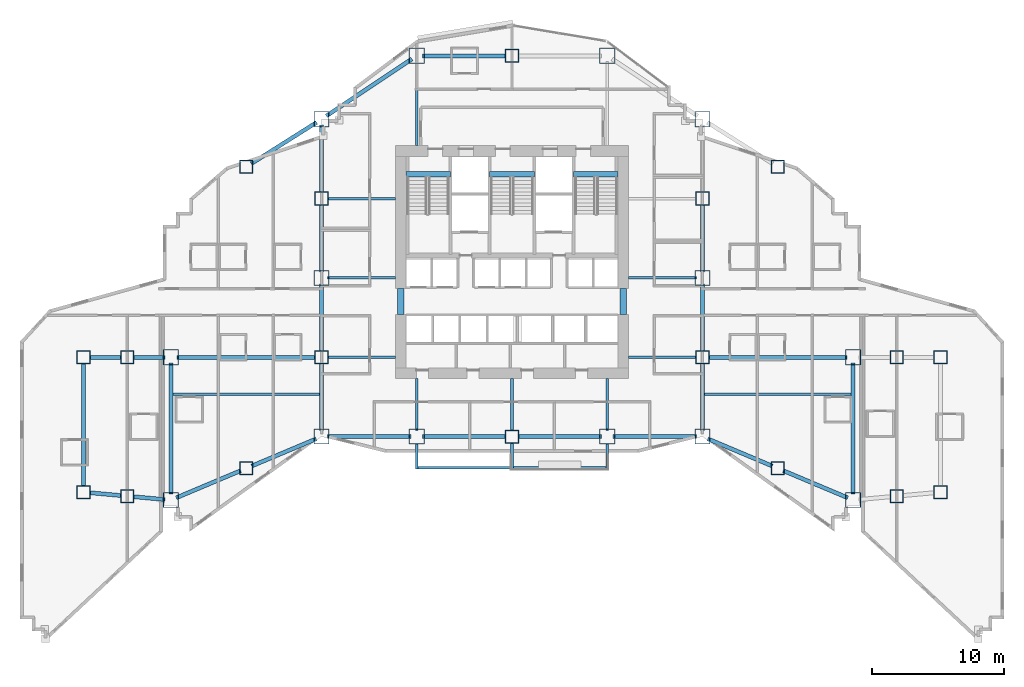
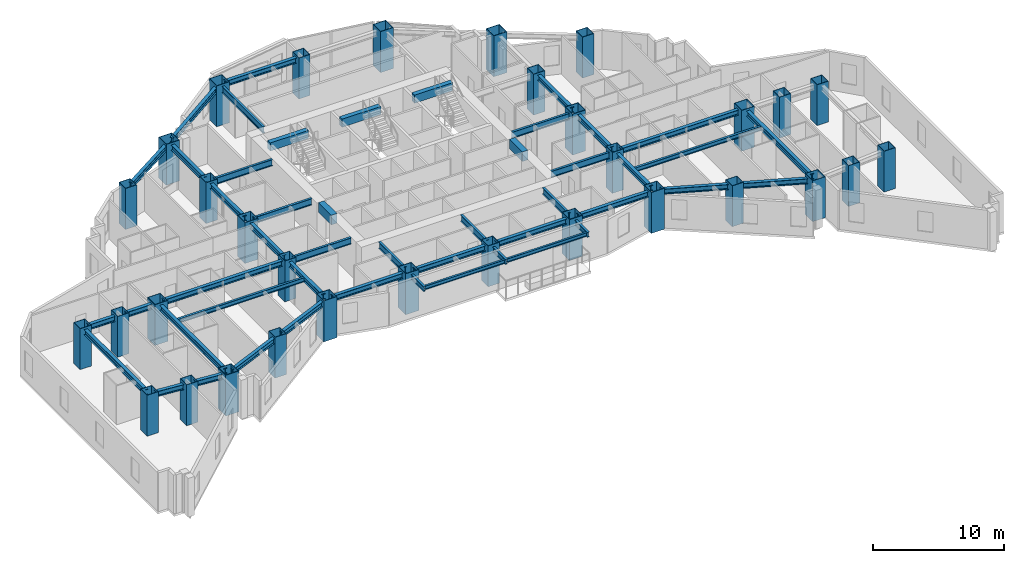
# One storey, part 1 of 17: 48 beams, 32 columns.
"""IFC4 building model written with IfcOpenShell, lengths in metres."""

from ifc_helpers import new_model, si_unit, direction, frame, origin, origin_2d, place, context, subcontext, project, spatial, rectangle, hollow_rectangle, i_section, extrude, material, material_profile, profile_set, type_object, element, save


model = new_model("IFC4")

# Units and contexts
model_context = context("Model", 3, precision=1e-05, world=origin(), true_north=direction((0.0, 1.0)))
body_context = subcontext(model_context, "Body", "Model", "MODEL_VIEW")
ifc_project = project(units=[si_unit("LENGTHUNIT", "METRE"), si_unit("AREAUNIT", "SQUARE_METRE"), si_unit("VOLUMEUNIT", "CUBIC_METRE"), si_unit("PLANEANGLEUNIT", "RADIAN"), si_unit("MASSUNIT", "GRAM", prefix="KILO")], contexts=[model_context])

# Site, building, storey
site_placement = place(None, origin())
site = spatial("IfcSite", under=ifc_project, at=site_placement, CompositionType="ELEMENT")
building_placement = place(site_placement, origin())
building = spatial("IfcBuilding", under=site, at=building_placement, Name="Haolan Belvedere Tower", CompositionType="ELEMENT")
storey_placement = place(building_placement, frame((0.0, 0.0, 81.800048828125)))
storey = spatial("IfcBuildingStorey", under=building, at=storey_placement, Name="L20", CompositionType="ELEMENT", Elevation=81.800048828125)

# Columns
ifc_material_1 = material(Name="Steel Q420GJC", Category="steel")
ifc_material_profile_1 = material_profile(ifc_material_1, hollow_rectangle(XDim=1.0, YDim=1.0, WallThickness=0.0380859375, at=origin_2d()), Name="Steel Q420GJC")
ifc_profile_set_1 = profile_set([ifc_material_profile_1], Name="Steel Q420GJC")
column_type_1 = type_object("IfcColumnType", Name="COL-BOX1000x1000x38", PredefinedType="COLUMN", material=ifc_profile_set_1)
for number, where, z_axis, x_axis, name in (
    (1, (6.0, 17.39990234375, 0.0), (0.0, 0.0, 1.0), (1.0, 0.0, 0.0), "L20 column MC-T1-SW (BOX1000x1000x38)"),
    (2, (6.0, 27.60009765625, 0.0), (0.0, 0.0, 1.0), (1.0, 0.0, 0.0), "L20 column MC-T1-NW (BOX1000x1000x38)"),
    (3, (70.800048828125, 17.39990234375, 0.0), (0.0, 0.0, 1.0), (1.0, 0.0, 0.0), "L20 column MC-T5-SE (BOX1000x1000x38)"),
    (4, (70.800048828125, 27.60009765625, 0.0), (0.0, 0.0, 1.0), (1.0, 0.0, 0.0), "L20 column MC-T5-NE (BOX1000x1000x38)"),
    (5, (24.0, 27.60009765625, 0.0), (0.0, 0.0, 1.0), (1.0, 0.0, 0.0), "L20 column TC-T3-W1 (BOX1000x1000x38)"),
    (6, (24.0, 39.60009765625, 0.0), (0.0, 0.0, 1.0), (1.0, 0.0, 0.0), "L20 column TC-T3-W2 (BOX1000x1000x38)"),
    (7, (52.800048828125, 27.60009765625, 0.0), (0.0, 0.0, 1.0), (1.0, 0.0, 0.0), "L20 column TC-T3-E1 (BOX1000x1000x38)"),
    (8, (52.800048828125, 39.60009765625, 0.0), (0.0, 0.0, 1.0), (1.0, 0.0, 0.0), "L20 column TC-T3-E2 (BOX1000x1000x38)"),
    (9, (38.39990234375, 21.60009765625, 0.0), (0.0, 0.0, 1.0), (1.0, 0.0, 0.0), "L20 column TC-T3-SM (BOX1000x1000x38)"),
    (10, (38.39990234375, 50.39990234375, 0.0), (0.0, 0.0, 1.0), (1.0, 0.0, 0.0), "L20 column TC-T3-NM (BOX1000x1000x38)"),
    (11, (18.300048828125, 19.199951171875, 0.0), (0.0, 0.0, 1.0), (1.0, 0.0, 0.0), "L20 column TC-T2-S1 (BOX1000x1000x38)"),
    (12, (18.300048828125, 42.0, 0.0), (0.0, 0.0, 1.0), (1.0, 0.0, 0.0), "L20 column TC-T2-N1 (BOX1000x1000x38)"),
    (13, (58.5, 19.199951171875, 0.0), (0.0, 0.0, 1.0), (1.0, 0.0, 0.0), "L20 column TC-T4-S1 (BOX1000x1000x38)"),
    (14, (58.5, 42.0, 0.0), (0.0, 0.0, 1.0), (1.0, 0.0, 0.0), "L20 column TC-T4-N1 (BOX1000x1000x38)"),
    (15, (9.300048828125, 17.10009765625, 0.0), (0.0, 0.0, 1.0), (1.0, 0.0, 0.0), "L20 column TC-T1-M1 (BOX1000x1000x38)"),
    (16, (9.300048828125, 27.60009765625, 0.0), (0.0, 0.0, 1.0), (1.0, 0.0, 0.0), "L20 column TC-T1-M2 (BOX1000x1000x38)"),
    (17, (67.5, 17.10009765625, 0.0), (0.0, 0.0, 1.0), (1.0, 0.0, 0.0), "L20 column TC-T5-M1 (BOX1000x1000x38)"),
    (18, (67.5, 27.60009765625, 0.0), (0.0, 0.0, 1.0), (1.0, 0.0, 0.0), "L20 column TC-T5-M2 (BOX1000x1000x38)"),
):
    element("IfcColumn", number, at=place(storey_placement, frame(where, z_axis=z_axis, x_axis=x_axis)), inside=storey, type_object=column_type_1, Name=name, PredefinedType="COLUMN", context=body_context, shape_type="SweptSolid", body=[
        extrude(hollow_rectangle(XDim=1.0, YDim=1.0, WallThickness=0.0380859375, at=origin_2d()), origin(), (0.0, 0.0, 1.0), 3.800048828125),
    ])
ifc_material_2 = material(Name="Steel Q355B", Category="steel")
ifc_material_profile_2 = material_profile(ifc_material_2, hollow_rectangle(XDim=1.14990234375, YDim=1.14990234375, WallThickness=0.0419921875, at=origin_2d()), Name="Steel Q355B")
ifc_profile_set_2 = profile_set([ifc_material_profile_2], Name="Steel Q355B")
column_type_2 = type_object("IfcColumnType", Name="COL-BOX1150x1150x42", PredefinedType="COLUMN", material=ifc_profile_set_2)
for number, where, z_axis, x_axis, name in (
    (19, (24.0, 21.60009765625, 0.0), (0.0, 0.0, 1.0), (1.0, 0.0, 0.0), "L20 column MC-T3-SW (BOX1150x1150x42)"),
    (20, (24.0, 33.60009765625, 0.0), (0.0, 0.0, 1.0), (1.0, 0.0, 0.0), "L20 column MC-T3-MW (BOX1150x1150x42)"),
    (21, (24.0, 45.60009765625, 0.0), (0.0, 0.0, 1.0), (1.0, 0.0, 0.0), "L20 column MC-T3-NW (BOX1150x1150x42)"),
    (22, (52.800048828125, 21.60009765625, 0.0), (0.0, 0.0, 1.0), (1.0, 0.0, 0.0), "L20 column MC-T3-SE (BOX1150x1150x42)"),
    (23, (52.800048828125, 33.60009765625, 0.0), (0.0, 0.0, 1.0), (1.0, 0.0, 0.0), "L20 column MC-T3-ME (BOX1150x1150x42)"),
    (24, (52.800048828125, 45.60009765625, 0.0), (0.0, 0.0, 1.0), (1.0, 0.0, 0.0), "L20 column MC-T3-NE (BOX1150x1150x42)"),
    (25, (31.199951171875, 21.60009765625, 0.0), (0.0, 0.0, 1.0), (1.0, 0.0, 0.0), "L20 column MC-T3-S1 (BOX1150x1150x42)"),
    (26, (45.60009765625, 21.60009765625, 0.0), (0.0, 0.0, 1.0), (1.0, 0.0, 0.0), "L20 column MC-T3-S2 (BOX1150x1150x42)"),
    (27, (31.199951171875, 50.39990234375, 0.0), (0.0, 0.0, 1.0), (1.0, 0.0, 0.0), "L20 column MC-T3-N1 (BOX1150x1150x42)"),
    (28, (45.60009765625, 50.39990234375, 0.0), (0.0, 0.0, 1.0), (1.0, 0.0, 0.0), "L20 column MC-T3-N2 (BOX1150x1150x42)"),
    (29, (12.60009765625, 16.800048828125, 0.0), (0.0, 0.0, 1.0), (1.0, 0.0, 0.0), "L20 column MC-T2-SW (BOX1150x1150x42)"),
    (30, (12.60009765625, 27.60009765625, 0.0), (0.0, 0.0, 1.0), (1.0, 0.0, 0.0), "L20 column MC-T2-MW (BOX1150x1150x42)"),
    (31, (64.199951171875, 16.800048828125, 0.0), (0.0, 0.0, 1.0), (1.0, 0.0, 0.0), "L20 column MC-T4-SE (BOX1150x1150x42)"),
    (32, (64.199951171875, 27.60009765625, 0.0), (0.0, 0.0, 1.0), (1.0, 0.0, 0.0), "L20 column MC-T4-ME (BOX1150x1150x42)"),
):
    element("IfcColumn", number, at=place(storey_placement, frame(where, z_axis=z_axis, x_axis=x_axis)), inside=storey, type_object=column_type_2, Name=name, PredefinedType="COLUMN", context=body_context, shape_type="SweptSolid", body=[
        extrude(hollow_rectangle(XDim=1.14990234375, YDim=1.14990234375, WallThickness=0.0419921875, at=origin_2d()), origin(), (0.0, 0.0, 1.0), 3.800048828125),
    ])

# Beams
ifc_material_profile_3 = material_profile(ifc_material_2, i_section(OverallWidth=0.300048828125, OverallDepth=0.488037109375, WebThickness=0.010986328125, FlangeThickness=0.01806640625, FilletRadius=0.02587890625, at=origin_2d()), Name="Steel Q355B")
ifc_profile_set_3 = profile_set([ifc_material_profile_3], Name="Steel Q355B")
beam_type_1 = type_object("IfcBeamType", Name="BM-HM488x300x11x18", PredefinedType="SPANDREL", material=ifc_profile_set_3)
for number, where, z_axis, x_axis, name in (
    (33, (24.0, 22.050048828125, 3.35595703125), (0.0, 1.0, 0.0), (-1.0, 0.0, 0.0), "L20 spandrel girder MC-T3-SW-TC-T3-W1"),
    (34, (24.0, 28.050048828125, 3.35595703125), (0.0, 1.0, 0.0), (-1.0, 0.0, 0.0), "L20 spandrel girder TC-T3-W1-MC-T3-MW"),
    (35, (24.0, 34.050048828125, 3.35595703125), (0.0, 1.0, 0.0), (-1.0, 0.0, 0.0), "L20 spandrel girder MC-T3-MW-TC-T3-W2"),
    (36, (24.0, 40.050048828125, 3.35595703125), (0.0, 1.0, 0.0), (-1.0, 0.0, 0.0), "L20 spandrel girder TC-T3-W2-MC-T3-NW"),
    (37, (52.800048828125, 22.050048828125, 3.35595703125), (0.0, 1.0, 0.0), (-1.0, 0.0, 0.0), "L20 spandrel girder MC-T3-SE-TC-T3-E1"),
    (38, (52.800048828125, 28.050048828125, 3.35595703125), (0.0, 1.0, 0.0), (-1.0, 0.0, 0.0), "L20 spandrel girder TC-T3-E1-MC-T3-ME"),
    (39, (52.800048828125, 34.050048828125, 3.35595703125), (0.0, 1.0, 0.0), (-1.0, 0.0, 0.0), "L20 spandrel girder MC-T3-ME-TC-T3-E2"),
):
    element("IfcBeam", number, at=place(storey_placement, frame(where, z_axis=z_axis, x_axis=x_axis)), inside=storey, type_object=beam_type_1, Name=name, PredefinedType="SPANDREL", context=body_context, shape_type="SweptSolid", body=[
        extrude(i_section(OverallWidth=0.300048828125, OverallDepth=0.488037109375, WebThickness=0.010986328125, FlangeThickness=0.01806640625, FilletRadius=0.02587890625, at=origin_2d()), origin(), (0.0, 0.0, 1.0), 5.099853515625),
    ])
for number, where, z_axis, x_axis, name in (
    (40, (24.449951171875, 21.60009765625, 3.35595703125), (1.0, 0.0, 0.0), (0.0, 1.0, 0.0), "L20 spandrel girder MC-T3-SW-MC-T3-S1"),
    (41, (31.64990234375, 21.60009765625, 3.35595703125), (1.0, 0.0, 0.0), (0.0, 1.0, 0.0), "L20 spandrel girder MC-T3-S1-TC-T3-SM"),
):
    element("IfcBeam", number, at=place(storey_placement, frame(where, z_axis=z_axis, x_axis=x_axis)), inside=storey, type_object=beam_type_1, Name=name, PredefinedType="SPANDREL", context=body_context, shape_type="SweptSolid", body=[
        extrude(i_section(OverallWidth=0.300048828125, OverallDepth=0.488037109375, WebThickness=0.010986328125, FlangeThickness=0.01806640625, FilletRadius=0.02587890625, at=origin_2d()), origin(), (0.0, 0.0, 1.0), 6.300048828125),
    ])
beam_1_placement = place(storey_placement, frame((38.85009765625, 21.60009765625, 3.35595703125), z_axis=(1.0, 0.0, 0.0), x_axis=(0.0, 1.0, 0.0)))
element("IfcBeam", 42, at=beam_1_placement, inside=storey, type_object=beam_type_1, Name="L20 spandrel girder TC-T3-SM-MC-T3-S2", PredefinedType="SPANDREL", context=body_context, shape_type="SweptSolid", body=[
    extrude(i_section(OverallWidth=0.300048828125, OverallDepth=0.488037109375, WebThickness=0.010986328125, FlangeThickness=0.01806640625, FilletRadius=0.02587890625, at=origin_2d()), origin(), (0.0, 0.0, 1.0), 6.2998046875),
])
beam_2_placement = place(storey_placement, frame((46.050048828125, 21.60009765625, 3.35595703125), z_axis=(1.0, 0.0, 0.0), x_axis=(0.0, 1.0, 0.0)))
element("IfcBeam", 43, at=beam_2_placement, inside=storey, type_object=beam_type_1, Name="L20 spandrel girder MC-T3-S2-MC-T3-SE", PredefinedType="SPANDREL", context=body_context, shape_type="SweptSolid", body=[
    extrude(i_section(OverallWidth=0.300048828125, OverallDepth=0.488037109375, WebThickness=0.010986328125, FlangeThickness=0.01806640625, FilletRadius=0.02587890625, at=origin_2d()), origin(), (0.0, 0.0, 1.0), 6.300048828125),
])
beam_3_placement = place(storey_placement, frame((24.37451171875, 45.849609375, 3.35595703125), z_axis=(0.832050294338, 0.554700196225, 0.0), x_axis=(-0.554700196225, 0.832050294338, 0.0)))
element("IfcBeam", 44, at=beam_3_placement, inside=storey, type_object=beam_type_1, Name="L20 spandrel girder MC-T3-NW-MC-T3-N1", PredefinedType="SPANDREL", context=body_context, shape_type="SweptSolid", body=[
    extrude(i_section(OverallWidth=0.300048828125, OverallDepth=0.488037109375, WebThickness=0.010986328125, FlangeThickness=0.01806640625, FilletRadius=0.02587890625, at=origin_2d()), origin(), (0.0, 0.0, 1.0), 7.75341796875),
])
beam_4_placement = place(storey_placement, frame((31.64990234375, 50.39990234375, 3.35595703125), z_axis=(1.0, 0.0, 0.0), x_axis=(0.0, 1.0, 0.0)))
element("IfcBeam", 45, at=beam_4_placement, inside=storey, type_object=beam_type_1, Name="L20 spandrel girder MC-T3-N1-TC-T3-NM", PredefinedType="SPANDREL", context=body_context, shape_type="SweptSolid", body=[
    extrude(i_section(OverallWidth=0.300048828125, OverallDepth=0.488037109375, WebThickness=0.010986328125, FlangeThickness=0.01806640625, FilletRadius=0.02587890625, at=origin_2d()), origin(), (0.0, 0.0, 1.0), 6.300048828125),
])
beam_5_placement = place(storey_placement, frame((12.60009765625, 17.25, 3.35595703125), z_axis=(0.0, 1.0, 0.0), x_axis=(-1.0, 0.0, 0.0)))
element("IfcBeam", 46, at=beam_5_placement, inside=storey, type_object=beam_type_1, Name="L20 spandrel girder MC-T2-SW-MC-T2-MW", PredefinedType="SPANDREL", context=body_context, shape_type="SweptSolid", body=[
    extrude(i_section(OverallWidth=0.300048828125, OverallDepth=0.488037109375, WebThickness=0.010986328125, FlangeThickness=0.01806640625, FilletRadius=0.02587890625, at=origin_2d()), origin(), (0.0, 0.0, 1.0), 9.89990234375),
])
beam_6_placement = place(storey_placement, frame((13.0146484375, 16.974609375, 3.35595703125), z_axis=(0.921635375138, 0.388057000058, 0.0), x_axis=(-0.388057000058, 0.921635375138, 0.0)))
element("IfcBeam", 47, at=beam_6_placement, inside=storey, type_object=beam_type_1, Name="L20 spandrel girder MC-T2-SW-TC-T2-S1", PredefinedType="SPANDREL", context=body_context, shape_type="SweptSolid", body=[
    extrude(i_section(OverallWidth=0.300048828125, OverallDepth=0.488037109375, WebThickness=0.010986328125, FlangeThickness=0.01806640625, FilletRadius=0.02587890625, at=origin_2d()), origin(), (0.0, 0.0, 1.0), 5.28466796875),
])
beam_7_placement = place(storey_placement, frame((18.71484375, 19.37451171875, 3.35595703125), z_axis=(0.92162841793, 0.388073523014, 0.0), x_axis=(-0.388073523014, 0.92162841793, 0.0)))
element("IfcBeam", 48, at=beam_7_placement, inside=storey, type_object=beam_type_1, Name="L20 spandrel girder TC-T2-S1-MC-T3-SW", PredefinedType="SPANDREL", context=body_context, shape_type="SweptSolid", body=[
    extrude(i_section(OverallWidth=0.300048828125, OverallDepth=0.488037109375, WebThickness=0.010986328125, FlangeThickness=0.01806640625, FilletRadius=0.02587890625, at=origin_2d()), origin(), (0.0, 0.0, 1.0), 5.284423828125),
])
beam_8_placement = place(storey_placement, frame((18.680419921875, 42.240234375, 3.35595703125), z_axis=(0.845497840649, 0.533978839898, 0.0), x_axis=(-0.533978839898, 0.845497840649, 0.0)))
element("IfcBeam", 49, at=beam_8_placement, inside=storey, type_object=beam_type_1, Name="L20 spandrel girder TC-T2-N1-MC-T3-NW", PredefinedType="SPANDREL", context=body_context, shape_type="SweptSolid", body=[
    extrude(i_section(OverallWidth=0.300048828125, OverallDepth=0.488037109375, WebThickness=0.010986328125, FlangeThickness=0.01806640625, FilletRadius=0.02587890625, at=origin_2d()), origin(), (0.0, 0.0, 1.0), 5.841796875),
])
beam_9_placement = place(storey_placement, frame((13.050048828125, 27.60009765625, 3.35595703125), z_axis=(1.0, 0.0, 0.0), x_axis=(0.0, 1.0, 0.0)))
element("IfcBeam", 50, at=beam_9_placement, inside=storey, type_object=beam_type_1, Name="L20 spandrel girder MC-T2-MW-TC-T3-W1", PredefinedType="SPANDREL", context=body_context, shape_type="SweptSolid", body=[
    extrude(i_section(OverallWidth=0.300048828125, OverallDepth=0.488037109375, WebThickness=0.010986328125, FlangeThickness=0.01806640625, FilletRadius=0.02587890625, at=origin_2d()), origin(), (0.0, 0.0, 1.0), 10.5),
])
beam_10_placement = place(storey_placement, frame((64.199951171875, 17.25, 3.35595703125), z_axis=(0.0, 1.0, 0.0), x_axis=(-1.0, 0.0, 0.0)))
element("IfcBeam", 51, at=beam_10_placement, inside=storey, type_object=beam_type_1, Name="L20 spandrel girder MC-T4-SE-MC-T4-ME", PredefinedType="SPANDREL", context=body_context, shape_type="SweptSolid", body=[
    extrude(i_section(OverallWidth=0.300048828125, OverallDepth=0.488037109375, WebThickness=0.010986328125, FlangeThickness=0.01806640625, FilletRadius=0.02587890625, at=origin_2d()), origin(), (0.0, 0.0, 1.0), 9.89990234375),
])
for number, where, z_axis, x_axis, name in (
    (52, (53.21484375, 21.42529296875, 3.35595703125), (0.92162841793, -0.388073523014, 0.0), (0.388073523014, 0.92162841793, 0.0), "L20 spandrel girder MC-T3-SE-TC-T4-S1"),
    (53, (58.914794921875, 19.025390625, 3.35595703125), (0.92162841793, -0.388073523014, 0.0), (0.388073523014, 0.92162841793, 0.0), "L20 spandrel girder TC-T4-S1-MC-T4-SE"),
):
    element("IfcBeam", number, at=place(storey_placement, frame(where, z_axis=z_axis, x_axis=x_axis)), inside=storey, type_object=beam_type_1, Name=name, PredefinedType="SPANDREL", context=body_context, shape_type="SweptSolid", body=[
        extrude(i_section(OverallWidth=0.300048828125, OverallDepth=0.488037109375, WebThickness=0.010986328125, FlangeThickness=0.01806640625, FilletRadius=0.02587890625, at=origin_2d()), origin(), (0.0, 0.0, 1.0), 5.284423828125),
    ])
beam_11_placement = place(storey_placement, frame((53.25, 27.60009765625, 3.35595703125), z_axis=(1.0, 0.0, 0.0), x_axis=(0.0, 1.0, 0.0)))
element("IfcBeam", 54, at=beam_11_placement, inside=storey, type_object=beam_type_1, Name="L20 spandrel girder TC-T3-E1-MC-T4-ME", PredefinedType="SPANDREL", context=body_context, shape_type="SweptSolid", body=[
    extrude(i_section(OverallWidth=0.300048828125, OverallDepth=0.488037109375, WebThickness=0.010986328125, FlangeThickness=0.01806640625, FilletRadius=0.02587890625, at=origin_2d()), origin(), (0.0, 0.0, 1.0), 10.5),
])
beam_12_placement = place(storey_placement, frame((6.0, 17.85009765625, 3.35595703125), z_axis=(0.0, 1.0, 0.0), x_axis=(-1.0, 0.0, 0.0)))
element("IfcBeam", 55, at=beam_12_placement, inside=storey, type_object=beam_type_1, Name="L20 spandrel girder MC-T1-SW-MC-T1-NW", PredefinedType="SPANDREL", context=body_context, shape_type="SweptSolid", body=[
    extrude(i_section(OverallWidth=0.300048828125, OverallDepth=0.488037109375, WebThickness=0.010986328125, FlangeThickness=0.01806640625, FilletRadius=0.02587890625, at=origin_2d()), origin(), (0.0, 0.0, 1.0), 9.2998046875),
])
beam_13_placement = place(storey_placement, frame((6.4482421875, 17.359375, 3.35595703125), z_axis=(0.995884080761, -0.090636072764, 0.0), x_axis=(0.090636072764, 0.995884080761, 0.0)))
element("IfcBeam", 56, at=beam_13_placement, inside=storey, type_object=beam_type_1, Name="L20 spandrel girder MC-T1-SW-TC-T1-M1", PredefinedType="SPANDREL", context=body_context, shape_type="SweptSolid", body=[
    extrude(i_section(OverallWidth=0.300048828125, OverallDepth=0.488037109375, WebThickness=0.010986328125, FlangeThickness=0.01806640625, FilletRadius=0.02587890625, at=origin_2d()), origin(), (0.0, 0.0, 1.0), 2.41357421875),
])
beam_14_placement = place(storey_placement, frame((9.748046875, 17.059326171875, 3.35595703125), z_axis=(0.9958940355, -0.090526626221, 0.0), x_axis=(0.090526626221, 0.9958940355, 0.0)))
element("IfcBeam", 57, at=beam_14_placement, inside=storey, type_object=beam_type_1, Name="L20 spandrel girder TC-T1-M1-MC-T2-SW", PredefinedType="SPANDREL", context=body_context, shape_type="SweptSolid", body=[
    extrude(i_section(OverallWidth=0.300048828125, OverallDepth=0.488037109375, WebThickness=0.010986328125, FlangeThickness=0.01806640625, FilletRadius=0.02587890625, at=origin_2d()), origin(), (0.0, 0.0, 1.0), 2.413818359375),
])
beam_15_placement = place(storey_placement, frame((6.449951171875, 27.60009765625, 3.35595703125), z_axis=(1.0, 0.0, 0.0), x_axis=(0.0, 1.0, 0.0)))
element("IfcBeam", 58, at=beam_15_placement, inside=storey, type_object=beam_type_1, Name="L20 spandrel girder MC-T1-NW-TC-T1-M2", PredefinedType="SPANDREL", context=body_context, shape_type="SweptSolid", body=[
    extrude(i_section(OverallWidth=0.300048828125, OverallDepth=0.488037109375, WebThickness=0.010986328125, FlangeThickness=0.01806640625, FilletRadius=0.02587890625, at=origin_2d()), origin(), (0.0, 0.0, 1.0), 2.400146484375),
])
beam_16_placement = place(storey_placement, frame((9.75, 27.60009765625, 3.35595703125), z_axis=(1.0, 0.0, 0.0), x_axis=(0.0, 1.0, 0.0)))
element("IfcBeam", 59, at=beam_16_placement, inside=storey, type_object=beam_type_1, Name="L20 spandrel girder TC-T1-M2-MC-T2-MW", PredefinedType="SPANDREL", context=body_context, shape_type="SweptSolid", body=[
    extrude(i_section(OverallWidth=0.300048828125, OverallDepth=0.488037109375, WebThickness=0.010986328125, FlangeThickness=0.01806640625, FilletRadius=0.02587890625, at=origin_2d()), origin(), (0.0, 0.0, 1.0), 2.39990234375),
])
ifc_material_profile_4 = material_profile(ifc_material_2, i_section(OverallWidth=0.175048828125, OverallDepth=0.35009765625, WebThickness=0.007080078125, FlangeThickness=0.010986328125, FilletRadius=0.012939453125, at=origin_2d()), Name="Steel Q355B")
ifc_profile_set_4 = profile_set([ifc_material_profile_4], Name="Steel Q355B")
beam_type_2 = type_object("IfcBeamType", Name="BM-HN350x175x7x11", PredefinedType="JOIST", material=ifc_profile_set_4)
for number, where, z_axis, x_axis, name in (
    (60, (31.300048828125, 19.239990234375, 3.39501953125), (1.0, 0.0, 0.0), (0.0, 1.0, 0.0), "L21 tree-balcony front trimmer beam 1"),
    (61, (38.5, 19.239990234375, 3.39501953125), (1.0, 0.0, 0.0), (0.0, 1.0, 0.0), "L21 tree-balcony front trimmer beam 2"),
):
    element("IfcBeam", number, at=place(storey_placement, frame(where, z_axis=z_axis, x_axis=x_axis)), inside=storey, type_object=beam_type_2, Name=name, PredefinedType="BEAM", context=body_context, shape_type="SweptSolid", body=[
        extrude(i_section(OverallWidth=0.175048828125, OverallDepth=0.35009765625, WebThickness=0.007080078125, FlangeThickness=0.010986328125, FilletRadius=0.012939453125, at=origin_2d()), origin(), (0.0, 0.0, 1.0), 7.0),
    ])
ifc_material_profile_5 = material_profile(ifc_material_2, i_section(OverallWidth=0.199951171875, OverallDepth=0.39990234375, WebThickness=0.008056640625, FlangeThickness=0.012939453125, FilletRadius=0.01611328125, at=origin_2d()), Name="Steel Q355B")
ifc_profile_set_5 = profile_set([ifc_material_profile_5], Name="Steel Q355B")
beam_type_3 = type_object("IfcBeamType", Name="BM-HN400x200x8x13", PredefinedType="JOIST", material=ifc_profile_set_5)
for number, where, z_axis, x_axis, name in (
    (62, (12.75, 24.800048828125, 3.39990234375), (1.0, 0.0, 0.0), (0.0, 1.0, 0.0), "L20 west wing floor joist 1"),
    (63, (52.949951171875, 24.800048828125, 3.39990234375), (1.0, 0.0, 0.0), (0.0, 1.0, 0.0), "L20 east wing floor joist 1"),
):
    element("IfcBeam", number, at=place(storey_placement, frame(where, z_axis=z_axis, x_axis=x_axis)), inside=storey, type_object=beam_type_3, Name=name, PredefinedType="JOIST", context=body_context, shape_type="SweptSolid", body=[
        extrude(i_section(OverallWidth=0.199951171875, OverallDepth=0.39990234375, WebThickness=0.008056640625, FlangeThickness=0.012939453125, FilletRadius=0.01611328125, at=origin_2d()), origin(), (0.0, 0.0, 1.0), 11.10009765625),
    ])
ifc_material_profile_6 = material_profile(ifc_material_2, i_section(OverallWidth=0.199951171875, OverallDepth=0.449951171875, WebThickness=0.009033203125, FlangeThickness=0.013916015625, FilletRadius=0.01611328125, at=origin_2d()), Name="Steel Q355B")
ifc_profile_set_6 = profile_set([ifc_material_profile_6], Name="Steel Q355B")
beam_type_4 = type_object("IfcBeamType", Name="BM-HN450x200x9x14", PredefinedType="BEAM", material=ifc_profile_set_6)
beam_17_placement = place(storey_placement, frame((31.199951171875, 21.02490234375, 3.344970703125), z_axis=(0.0, -1.0, 0.0), x_axis=(1.0, 0.0, 0.0)))
element("IfcBeam", 64, at=beam_17_placement, inside=storey, type_object=beam_type_4, Name="L21 tree-balcony column cantilever MC-T3-S1", PredefinedType="BEAM", context=body_context, shape_type="SweptSolid", body=[
    extrude(i_section(OverallWidth=0.199951171875, OverallDepth=0.449951171875, WebThickness=0.009033203125, FlangeThickness=0.013916015625, FilletRadius=0.01611328125, at=origin_2d()), origin(), (0.0, 0.0, 1.0), 1.885009765625),
])
beam_18_placement = place(storey_placement, frame((38.39990234375, 21.10009765625, 3.344970703125), z_axis=(0.0, -1.0, 0.0), x_axis=(1.0, 0.0, 0.0)))
element("IfcBeam", 65, at=beam_18_placement, inside=storey, type_object=beam_type_4, Name="L21 tree-balcony column cantilever TC-T3-SM", PredefinedType="BEAM", context=body_context, shape_type="SweptSolid", body=[
    extrude(i_section(OverallWidth=0.199951171875, OverallDepth=0.449951171875, WebThickness=0.009033203125, FlangeThickness=0.013916015625, FilletRadius=0.01611328125, at=origin_2d()), origin(), (0.0, 0.0, 1.0), 1.960205078125),
])
beam_19_placement = place(storey_placement, frame((45.60009765625, 21.02490234375, 3.344970703125), z_axis=(0.0, -1.0, 0.0), x_axis=(1.0, 0.0, 0.0)))
element("IfcBeam", 66, at=beam_19_placement, inside=storey, type_object=beam_type_4, Name="L21 tree-balcony column cantilever MC-T3-S2", PredefinedType="BEAM", context=body_context, shape_type="SweptSolid", body=[
    extrude(i_section(OverallWidth=0.199951171875, OverallDepth=0.449951171875, WebThickness=0.009033203125, FlangeThickness=0.013916015625, FilletRadius=0.01611328125, at=origin_2d()), origin(), (0.0, 0.0, 1.0), 1.885009765625),
])
ifc_material_profile_7 = material_profile(ifc_material_2, i_section(OverallWidth=0.199951171875, OverallDepth=0.60009765625, WebThickness=0.010986328125, FlangeThickness=0.01708984375, FilletRadius=0.02197265625, at=origin_2d()), Name="Steel Q355B")
ifc_profile_set_7 = profile_set([ifc_material_profile_7], Name="Steel Q355B")
beam_type_5 = type_object("IfcBeamType", Name="BM-HN600x200x11x17", PredefinedType="BEAM", material=ifc_profile_set_7)
for number, where, z_axis, x_axis, name in (
    (67, (24.449951171875, 33.60009765625, 3.300048828125), (1.0, 0.0, 0.0), (0.0, 1.0, 0.0), "L20 core tie beam from MC-T3-MW"),
    (68, (24.449951171875, 27.60009765625, 3.300048828125), (1.0, 0.0, 0.0), (0.0, 1.0, 0.0), "L20 core tie beam from TC-T3-W1"),
    (69, (24.449951171875, 39.60009765625, 3.300048828125), (1.0, 0.0, 0.0), (0.0, 1.0, 0.0), "L20 core tie beam from TC-T3-W2"),
    (70, (52.35009765625, 33.60009765625, 3.300048828125), (-1.0, 0.0, 0.0), (0.0, -1.0, 0.0), "L20 core tie beam from MC-T3-ME"),
    (71, (52.35009765625, 27.60009765625, 3.300048828125), (-1.0, 0.0, 0.0), (0.0, -1.0, 0.0), "L20 core tie beam from TC-T3-E1"),
):
    element("IfcBeam", number, at=place(storey_placement, frame(where, z_axis=z_axis, x_axis=x_axis)), inside=storey, type_object=beam_type_5, Name=name, PredefinedType="BEAM", context=body_context, shape_type="SweptSolid", body=[
        extrude(i_section(OverallWidth=0.199951171875, OverallDepth=0.60009765625, WebThickness=0.010986328125, FlangeThickness=0.01708984375, FilletRadius=0.02197265625, at=origin_2d()), origin(), (0.0, 0.0, 1.0), 5.150146484375),
    ])
for number, where, z_axis, x_axis, name in (
    (72, (31.199951171875, 22.050048828125, 3.300048828125), (0.0, 1.0, 0.0), (-1.0, 0.0, 0.0), "L20 core tie beam from MC-T3-S1"),
    (73, (38.39990234375, 22.050048828125, 3.300048828125), (0.0, 1.0, 0.0), (-1.0, 0.0, 0.0), "L20 core tie beam from TC-T3-SM"),
    (74, (45.60009765625, 22.050048828125, 3.300048828125), (0.0, 1.0, 0.0), (-1.0, 0.0, 0.0), "L20 core tie beam from MC-T3-S2"),
):
    element("IfcBeam", number, at=place(storey_placement, frame(where, z_axis=z_axis, x_axis=x_axis)), inside=storey, type_object=beam_type_5, Name=name, PredefinedType="BEAM", context=body_context, shape_type="SweptSolid", body=[
        extrude(i_section(OverallWidth=0.199951171875, OverallDepth=0.60009765625, WebThickness=0.010986328125, FlangeThickness=0.01708984375, FilletRadius=0.02197265625, at=origin_2d()), origin(), (0.0, 0.0, 1.0), 3.949951171875),
    ])
beam_20_placement = place(storey_placement, frame((31.199951171875, 49.949951171875, 3.300048828125), z_axis=(0.0, -1.0, 0.0), x_axis=(1.0, 0.0, 0.0)))
element("IfcBeam", 75, at=beam_20_placement, inside=storey, type_object=beam_type_5, Name="L20 core tie beam from MC-T3-N1", PredefinedType="BEAM", context=body_context, shape_type="SweptSolid", body=[
    extrude(i_section(OverallWidth=0.199951171875, OverallDepth=0.60009765625, WebThickness=0.010986328125, FlangeThickness=0.01708984375, FilletRadius=0.02197265625, at=origin_2d()), origin(), (0.0, 0.0, 1.0), 6.349853515625),
])
ifc_material_3 = material(Name="Concrete C50/60", Category="concrete")
ifc_material_profile_8 = material_profile(ifc_material_3, rectangle(XDim=0.39990234375, YDim=0.75, at=origin_2d()), Name="Concrete C50/60")
ifc_profile_set_8 = profile_set([ifc_material_profile_8], Name="Concrete C50/60")
beam_type_6 = type_object("IfcBeamType", Name="BM-RC400x750", PredefinedType="T_BEAM", material=ifc_profile_set_8)
beam_21_placement = place(storey_placement, frame((30.3798828125, 41.429931640625, 3.425048828125), z_axis=(1.0, 0.0, 0.0), x_axis=(0.0, 1.0, 0.0)))
element("IfcBeam", 76, at=beam_21_placement, inside=storey, type_object=beam_type_6, Name="L21 stair ST1 RC header trimmer beam", PredefinedType="BEAM", context=body_context, shape_type="SweptSolid", body=[
    extrude(rectangle(XDim=0.39990234375, YDim=0.75, at=origin_2d()), origin(), (0.0, 0.0, 1.0), 3.360107421875),
])
beam_22_placement = place(storey_placement, frame((36.699951171875, 41.429931640625, 3.425048828125), z_axis=(1.0, 0.0, 0.0), x_axis=(0.0, 1.0, 0.0)))
element("IfcBeam", 77, at=beam_22_placement, inside=storey, type_object=beam_type_6, Name="L21 stair ST3 RC header trimmer beam", PredefinedType="BEAM", context=body_context, shape_type="SweptSolid", body=[
    extrude(rectangle(XDim=0.39990234375, YDim=0.75, at=origin_2d()), origin(), (0.0, 0.0, 1.0), 3.400146484375),
])
beam_23_placement = place(storey_placement, frame((43.06005859375, 41.429931640625, 3.425048828125), z_axis=(1.0, 0.0, 0.0), x_axis=(0.0, 1.0, 0.0)))
element("IfcBeam", 78, at=beam_23_placement, inside=storey, type_object=beam_type_6, Name="L21 stair ST2 RC header trimmer beam", PredefinedType="BEAM", context=body_context, shape_type="SweptSolid", body=[
    extrude(rectangle(XDim=0.39990234375, YDim=0.75, at=origin_2d()), origin(), (0.0, 0.0, 1.0), 3.35986328125),
])
ifc_material_4 = material(Name="Concrete C60/75", Category="concrete")
ifc_material_profile_9 = material_profile(ifc_material_4, rectangle(XDim=0.5, YDim=0.89990234375, at=origin_2d()), Name="Concrete C60/75")
ifc_profile_set_9 = profile_set([ifc_material_profile_9], Name="Concrete C60/75")
beam_type_7 = type_object("IfcBeamType", Name="BM-RC500x900", PredefinedType="LINTEL", material=ifc_profile_set_9)
for number, where, z_axis, x_axis, name in (
    (79, (30.0, 30.85009765625, 3.14990234375), (0.0, 1.0, 0.0), (-1.0, 0.0, 0.0), "L20 west core coupling beam CB-01"),
    (80, (46.800048828125, 30.85009765625, 3.14990234375), (0.0, 1.0, 0.0), (-1.0, 0.0, 0.0), "L20 east core coupling beam CB-01"),
):
    element("IfcBeam", number, at=place(storey_placement, frame(where, z_axis=z_axis, x_axis=x_axis)), inside=storey, type_object=beam_type_7, Name=name, PredefinedType="LINTEL", context=body_context, shape_type="SweptSolid", body=[
        extrude(rectangle(XDim=0.5, YDim=0.89990234375, at=origin_2d()), origin(), (0.0, 0.0, 1.0), 1.949951171875),
    ])

save(model, "model.ifc")
